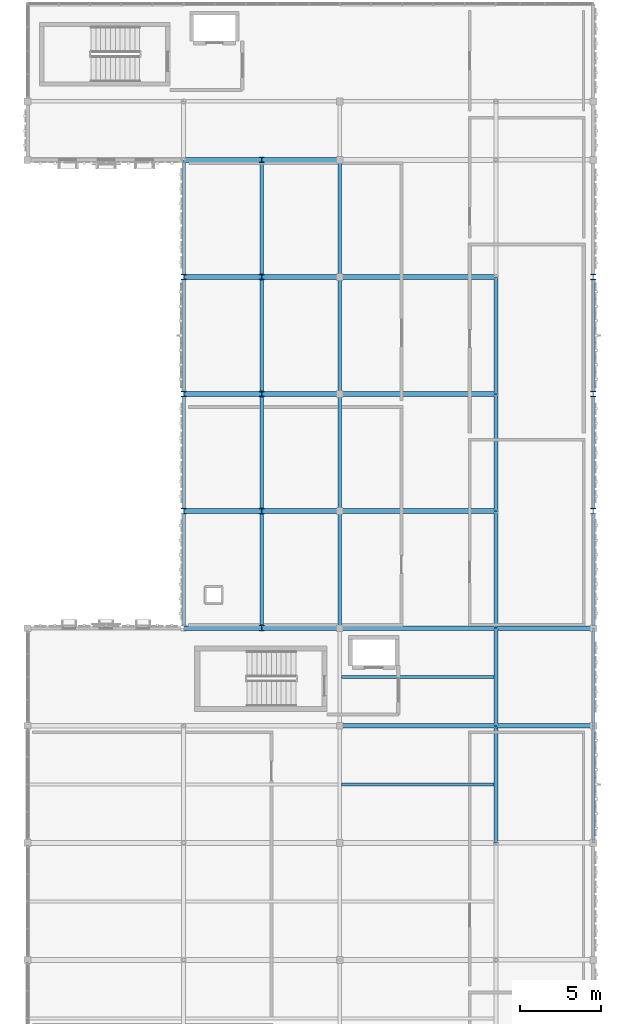
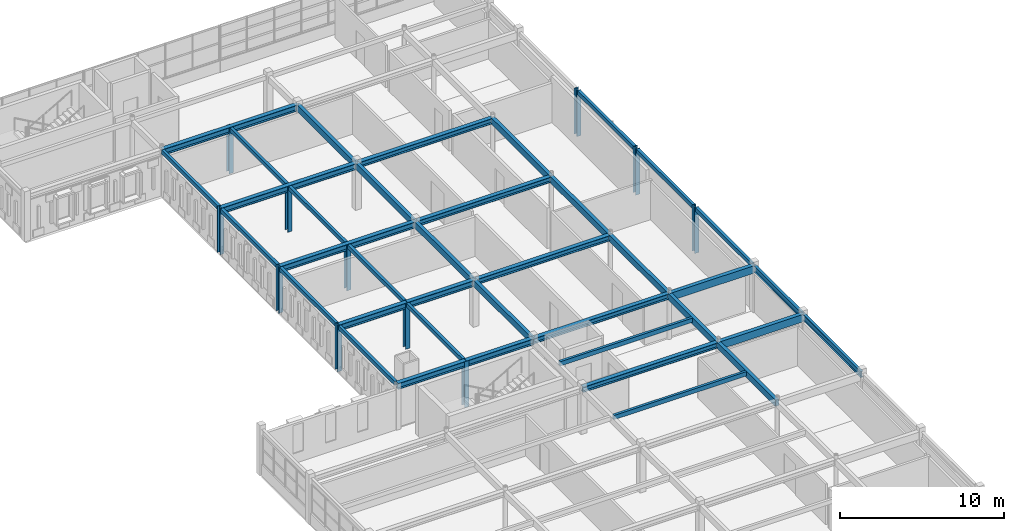
# One storey, part 16 of 46: 36 beams, 11 members.
"""IFC4 building model written with IfcOpenShell, lengths in metres."""

from ifc_helpers import new_model, si_unit, direction, frame, origin, origin_2d, place, context, subcontext, project, spatial, rectangle, hollow_rectangle, i_section, extrude, material, material_profile, profile_set, type_object, element, save


model = new_model("IFC4")

# Units and contexts
model_context = context("Model", 3, precision=1e-05, world=origin(), true_north=direction((0.0, 1.0)))
body_context = subcontext(model_context, "Body", "Model", "MODEL_VIEW")
ifc_project = project(units=[si_unit("LENGTHUNIT", "METRE"), si_unit("AREAUNIT", "SQUARE_METRE"), si_unit("VOLUMEUNIT", "CUBIC_METRE"), si_unit("PLANEANGLEUNIT", "RADIAN"), si_unit("MASSUNIT", "GRAM", prefix="KILO")], contexts=[model_context])

# Site, building, storey
site_placement = place(None, origin())
site = spatial("IfcSite", under=ifc_project, at=site_placement, CompositionType="ELEMENT")
building_placement = place(site_placement, origin())
building = spatial("IfcBuilding", under=site, at=building_placement, Name="Nzembalo Square Collegiate School", CompositionType="ELEMENT")
storey_placement = place(building_placement, frame((0.0, 0.0, 17.340087890625)))
storey = spatial("IfcBuildingStorey", under=building, at=storey_placement, Name="L04", CompositionType="ELEMENT", Elevation=17.340087890625)

# Beams
ifc_material_1 = material(Name="Glulam GL28h", Category="wood")
ifc_material_profile_1 = material_profile(ifc_material_1, rectangle(XDim=0.280029296875, YDim=0.56005859375, at=origin_2d()), Name="GL28h 280x560")
ifc_profile_set_1 = profile_set([ifc_material_profile_1], Name="Glulam GL28h")
beam_type_1 = type_object("IfcBeamType", Name="B05", PredefinedType="BEAM", material=ifc_profile_set_1)
for number, where, z_axis, x_axis, name in (
    (1, (159.60009765625, 44.39990234375, 3.155029296875), (1.0, 0.0, 0.0), (0.0, 1.0, 0.0), "Beam B05 L04"),
    (2, (159.60009765625, 50.39990234375, 3.155029296875), (1.0, 0.0, 0.0), (0.0, 1.0, 0.0), "Beam B05 L04"),
):
    element("IfcBeam", number, at=place(storey_placement, frame(where, z_axis=z_axis, x_axis=x_axis)), inside=storey, type_object=beam_type_1, Name=name, PredefinedType="BEAM", context=body_context, shape_type="SweptSolid", body=[
        extrude(rectangle(XDim=0.280029296875, YDim=0.56005859375, at=origin_2d()), origin(), (0.0, 0.0, 1.0), 6.0),
    ])
ifc_material_2 = material(Name="Glulam GL28h", Category="wood")
ifc_material_profile_2 = material_profile(ifc_material_2, rectangle(XDim=0.239990234375, YDim=0.47998046875, at=origin_2d()), Name="GL28h 240x480")
ifc_profile_set_2 = profile_set([ifc_material_profile_2], Name="Glulam GL28h")
beam_type_2 = type_object("IfcBeamType", Name="B06", PredefinedType="BEAM", material=ifc_profile_set_2)
beam_1_placement = place(storey_placement, frame((150.0, 50.39990234375, 3.19482421875), z_axis=(0.0, 1.0, 0.0), x_axis=(-1.0, 0.0, 0.0)))
element("IfcBeam", 3, at=beam_1_placement, inside=storey, type_object=beam_type_2, Name="Beam B06 L04", PredefinedType="BEAM", context=body_context, shape_type="SweptSolid", body=[
    extrude(rectangle(XDim=0.239990234375, YDim=0.47998046875, at=origin_2d()), origin(), (0.0, 0.0, 1.0), 7.2001953125),
])
for number, where, z_axis, x_axis, name in (
    (4, (150.0, 57.60009765625, 3.19482421875), (0.0, 1.0, 0.0), (-1.0, 0.0, 0.0), "Beam B06 L04"),
    (5, (150.0, 64.800048828125, 3.19482421875), (0.0, 1.0, 0.0), (-1.0, 0.0, 0.0), "Beam B06 L04"),
    (6, (150.0, 72.0, 3.19482421875), (0.0, 1.0, 0.0), (-1.0, 0.0, 0.0), "Beam B06 L04"),
    (7, (159.60009765625, 37.199951171875, 3.19482421875), (0.0, 1.0, 0.0), (-1.0, 0.0, 0.0), "Beam B06 L04"),
):
    element("IfcBeam", number, at=place(storey_placement, frame(where, z_axis=z_axis, x_axis=x_axis)), inside=storey, type_object=beam_type_2, Name=name, PredefinedType="BEAM", context=body_context, shape_type="SweptSolid", body=[
        extrude(rectangle(XDim=0.239990234375, YDim=0.47998046875, at=origin_2d()), origin(), (0.0, 0.0, 1.0), 7.199951171875),
    ])
beam_2_placement = place(storey_placement, frame((159.60009765625, 44.39990234375, 3.19482421875), z_axis=(0.0, 1.0, 0.0), x_axis=(-1.0, 0.0, 0.0)))
element("IfcBeam", 8, at=beam_2_placement, inside=storey, type_object=beam_type_2, Name="Beam B06 L04", PredefinedType="BEAM", context=body_context, shape_type="SweptSolid", body=[
    extrude(rectangle(XDim=0.239990234375, YDim=0.47998046875, at=origin_2d()), origin(), (0.0, 0.0, 1.0), 6.0),
])
beam_3_placement = place(storey_placement, frame((159.60009765625, 50.39990234375, 3.19482421875), z_axis=(0.0, 1.0, 0.0), x_axis=(-1.0, 0.0, 0.0)))
element("IfcBeam", 9, at=beam_3_placement, inside=storey, type_object=beam_type_2, Name="Beam B06 L04", PredefinedType="BEAM", context=body_context, shape_type="SweptSolid", body=[
    extrude(rectangle(XDim=0.239990234375, YDim=0.47998046875, at=origin_2d()), origin(), (0.0, 0.0, 1.0), 7.2001953125),
])
for number, where, z_axis, x_axis, name in (
    (10, (159.60009765625, 57.60009765625, 3.19482421875), (0.0, 1.0, 0.0), (-1.0, 0.0, 0.0), "Beam B06 L04"),
    (11, (159.60009765625, 64.800048828125, 3.19482421875), (0.0, 1.0, 0.0), (-1.0, 0.0, 0.0), "Beam B06 L04"),
):
    element("IfcBeam", number, at=place(storey_placement, frame(where, z_axis=z_axis, x_axis=x_axis)), inside=storey, type_object=beam_type_2, Name=name, PredefinedType="BEAM", context=body_context, shape_type="SweptSolid", body=[
        extrude(rectangle(XDim=0.239990234375, YDim=0.47998046875, at=origin_2d()), origin(), (0.0, 0.0, 1.0), 7.199951171875),
    ])
ifc_material_3 = material(Name="Steel S355", Category="steel")
ifc_material_profile_3 = material_profile(ifc_material_3, i_section(OverallWidth=0.300048828125, OverallDepth=0.449951171875, WebThickness=0.013916015625, FlangeThickness=0.02587890625, at=origin_2d()), Name="HEB 450")
ifc_profile_set_3 = profile_set([ifc_material_profile_3], Name="Steel S355")
beam_type_3 = type_object("IfcBeamType", Name="B08", PredefinedType="BEAM", material=ifc_profile_set_3)
for number, where, z_axis, x_axis, name in (
    (12, (150.0, 50.39990234375, 3.2099609375), (-1.0, 0.0, 0.0), (0.0, -1.0, 0.0), "Cantilever girder B08 4B L04"),
    (13, (150.0, 57.60009765625, 3.2099609375), (-1.0, 0.0, 0.0), (0.0, -1.0, 0.0), "Cantilever girder B08 4B L04"),
    (14, (150.0, 64.800048828125, 3.2099609375), (-1.0, 0.0, 0.0), (0.0, -1.0, 0.0), "Cantilever girder B08 4B L04"),
    (15, (150.0, 72.0, 3.2099609375), (-1.0, 0.0, 0.0), (0.0, -1.0, 0.0), "Cantilever girder B08 4B L04"),
    (16, (150.0, 79.199951171875, 3.2099609375), (-1.0, 0.0, 0.0), (0.0, -1.0, 0.0), "Cantilever girder B08 4B L04"),
):
    element("IfcBeam", number, at=place(storey_placement, frame(where, z_axis=z_axis, x_axis=x_axis)), inside=storey, type_object=beam_type_3, Name=name, PredefinedType="BEAM", context=body_context, shape_type="SweptSolid", body=[
        extrude(i_section(OverallWidth=0.300048828125, OverallDepth=0.449951171875, WebThickness=0.013916015625, FlangeThickness=0.02587890625, at=origin_2d()), origin(), (0.0, 0.0, 1.0), 9.60009765625),
    ])
ifc_material_4 = material(Name="Steel S355", Category="steel")
ifc_material_profile_4 = material_profile(ifc_material_4, i_section(OverallWidth=0.18994140625, OverallDepth=0.449951171875, WebThickness=0.009521484375, FlangeThickness=0.0146484375, at=origin_2d()), Name="IPE 450")
ifc_profile_set_4 = profile_set([ifc_material_profile_4], Name="Steel S355")
beam_type_4 = type_object("IfcBeamType", Name="B09", PredefinedType="BEAM", material=ifc_profile_set_4)
beam_4_placement = place(storey_placement, frame((165.60009765625, 37.199951171875, 3.2099609375), z_axis=(0.0, 1.0, 0.0), x_axis=(-1.0, 0.0, 0.0)))
element("IfcBeam", 17, at=beam_4_placement, inside=storey, type_object=beam_type_4, Name="Beam B09 L04", PredefinedType="BEAM", context=body_context, shape_type="SweptSolid", body=[
    extrude(i_section(OverallWidth=0.18994140625, OverallDepth=0.449951171875, WebThickness=0.009521484375, FlangeThickness=0.0146484375, at=origin_2d()), origin(), (0.0, 0.0, 1.0), 7.199951171875),
])
beam_5_placement = place(storey_placement, frame((165.60009765625, 44.39990234375, 3.2099609375), z_axis=(0.0, 1.0, 0.0), x_axis=(-1.0, 0.0, 0.0)))
element("IfcBeam", 18, at=beam_5_placement, inside=storey, type_object=beam_type_4, Name="Beam B09 L04", PredefinedType="BEAM", context=body_context, shape_type="SweptSolid", body=[
    extrude(i_section(OverallWidth=0.18994140625, OverallDepth=0.449951171875, WebThickness=0.009521484375, FlangeThickness=0.0146484375, at=origin_2d()), origin(), (0.0, 0.0, 1.0), 6.0),
])
ifc_material_5 = material(Name="Steel S355", Category="steel")
ifc_material_profile_5 = material_profile(ifc_material_5, i_section(OverallWidth=0.300048828125, OverallDepth=0.39990234375, WebThickness=0.013427734375, FlangeThickness=0.02392578125, at=origin_2d()), Name="HEB 400")
ifc_profile_set_5 = profile_set([ifc_material_profile_5], Name="Steel S355")
beam_type_5 = type_object("IfcBeamType", Name="B10", PredefinedType="BEAM", material=ifc_profile_set_5)
for number, where, z_axis, x_axis, name in (
    (19, (150.0, 44.39990234375, 3.23486328125), (1.0, 0.0, 0.0), (0.0, 1.0, 0.0), "Beam B10 L04"),
    (20, (150.0, 50.39990234375, 3.23486328125), (1.0, 0.0, 0.0), (0.0, 1.0, 0.0), "Beam B10 L04"),
    (21, (150.0, 57.60009765625, 3.23486328125), (1.0, 0.0, 0.0), (0.0, 1.0, 0.0), "Beam B10 L04"),
    (22, (150.0, 64.800048828125, 3.23486328125), (1.0, 0.0, 0.0), (0.0, 1.0, 0.0), "Beam B10 L04"),
    (23, (150.0, 72.0, 3.23486328125), (1.0, 0.0, 0.0), (0.0, 1.0, 0.0), "Beam B10 L04"),
):
    element("IfcBeam", number, at=place(storey_placement, frame(where, z_axis=z_axis, x_axis=x_axis)), inside=storey, type_object=beam_type_5, Name=name, PredefinedType="BEAM", context=body_context, shape_type="SweptSolid", body=[
        extrude(i_section(OverallWidth=0.300048828125, OverallDepth=0.39990234375, WebThickness=0.013427734375, FlangeThickness=0.02392578125, at=origin_2d()), origin(), (0.0, 0.0, 1.0), 9.60009765625),
    ])
ifc_material_6 = material(Name="Glulam GL28h", Category="wood")
ifc_material_profile_6 = material_profile(ifc_material_6, rectangle(XDim=0.179931640625, YDim=0.320068359375, at=origin_2d()), Name="GL28h 180x320")
ifc_profile_set_6 = profile_set([ifc_material_profile_6], Name="Glulam GL28h")
beam_type_6 = type_object("IfcBeamType", Name="J02", PredefinedType="JOIST", material=ifc_profile_set_6)
for number, where, z_axis, x_axis, name in (
    (24, (150.1201171875, 40.800048828125, 3.27490234375), (1.0, 0.0, 0.0), (0.0, 1.0, 0.0), "Secondary joist J02 L04"),
    (25, (150.1201171875, 47.39990234375, 3.27490234375), (1.0, 0.0, 0.0), (0.0, 1.0, 0.0), "Secondary joist J02 L04"),
):
    element("IfcBeam", number, at=place(storey_placement, frame(where, z_axis=z_axis, x_axis=x_axis)), inside=storey, type_object=beam_type_6, Name=name, PredefinedType="JOIST", context=body_context, shape_type="SweptSolid", body=[
        extrude(rectangle(XDim=0.179931640625, YDim=0.320068359375, at=origin_2d()), origin(), (0.0, 0.0, 1.0), 9.35986328125),
    ])
ifc_material_7 = material(Name="Steel S355", Category="steel")
ifc_material_profile_7 = material_profile(ifc_material_7, hollow_rectangle(XDim=0.199951171875, YDim=0.300048828125, WallThickness=0.011962890625, at=origin_2d()), Name="RHS 300x200x12")
ifc_profile_set_7 = profile_set([ifc_material_profile_7], Name="Steel S355")
beam_type_7 = type_object("IfcBeamType", Name="SP03", PredefinedType="SPANDREL", material=ifc_profile_set_7)
for number, where, z_axis, x_axis, name in (
    (26, (165.60009765625, 50.550048828125, 3.284912109375), (0.0, 1.0, 0.0), (-1.0, 0.0, 0.0), "Cantilever edge beam SP03 4B L04"),
    (27, (140.39990234375, 50.550048828125, 3.284912109375), (0.0, 1.0, 0.0), (-1.0, 0.0, 0.0), "Cantilever edge beam SP03 4B L04"),
    (28, (145.199951171875, 50.550048828125, 3.284912109375), (0.0, 1.0, 0.0), (-1.0, 0.0, 0.0), "Cantilever edge beam SP03 4B L04"),
    (29, (165.60009765625, 57.75, 3.284912109375), (0.0, 1.0, 0.0), (-1.0, 0.0, 0.0), "Cantilever edge beam SP03 4B L04"),
    (30, (140.39990234375, 57.75, 3.284912109375), (0.0, 1.0, 0.0), (-1.0, 0.0, 0.0), "Cantilever edge beam SP03 4B L04"),
    (31, (145.199951171875, 57.75, 3.284912109375), (0.0, 1.0, 0.0), (-1.0, 0.0, 0.0), "Cantilever edge beam SP03 4B L04"),
):
    element("IfcBeam", number, at=place(storey_placement, frame(where, z_axis=z_axis, x_axis=x_axis)), inside=storey, type_object=beam_type_7, Name=name, PredefinedType="SPANDREL", context=body_context, shape_type="SweptSolid", body=[
        extrude(hollow_rectangle(XDim=0.199951171875, YDim=0.300048828125, WallThickness=0.011962890625, at=origin_2d()), origin(), (0.0, 0.0, 1.0), 6.89990234375),
    ])
for number, where, z_axis, x_axis, name in (
    (32, (165.60009765625, 64.949951171875, 3.284912109375), (0.0, 1.0, 0.0), (-1.0, 0.0, 0.0), "Cantilever edge beam SP03 4B L04"),
    (33, (140.39990234375, 64.949951171875, 3.284912109375), (0.0, 1.0, 0.0), (-1.0, 0.0, 0.0), "Cantilever edge beam SP03 4B L04"),
    (34, (145.199951171875, 64.949951171875, 3.284912109375), (0.0, 1.0, 0.0), (-1.0, 0.0, 0.0), "Cantilever edge beam SP03 4B L04"),
    (35, (140.39990234375, 72.14990234375, 3.284912109375), (0.0, 1.0, 0.0), (-1.0, 0.0, 0.0), "Cantilever edge beam SP03 4B L04"),
    (36, (145.199951171875, 72.14990234375, 3.284912109375), (0.0, 1.0, 0.0), (-1.0, 0.0, 0.0), "Cantilever edge beam SP03 4B L04"),
):
    element("IfcBeam", number, at=place(storey_placement, frame(where, z_axis=z_axis, x_axis=x_axis)), inside=storey, type_object=beam_type_7, Name=name, PredefinedType="SPANDREL", context=body_context, shape_type="SweptSolid", body=[
        extrude(hollow_rectangle(XDim=0.199951171875, YDim=0.300048828125, WallThickness=0.011962890625, at=origin_2d()), origin(), (0.0, 0.0, 1.0), 6.900146484375),
    ])

# Members
ifc_material_8 = material(Name="Steel S355", Category="steel")
ifc_material_profile_8 = material_profile(ifc_material_8, i_section(OverallWidth=0.300048828125, OverallDepth=0.340087890625, WebThickness=0.011962890625, FlangeThickness=0.021484375, at=origin_2d()), Name="HEB 340")
ifc_profile_set_8 = profile_set([ifc_material_profile_8], Name="Steel S355")
member_type = type_object("IfcMemberType", Name="TP03", PredefinedType="POST", material=ifc_profile_set_8)
for number, where, z_axis, x_axis, name in (
    (37, (145.199951171875, 50.39990234375, 0.0), (0.0, 0.0, 1.0), (1.0, 0.0, 0.0), "TT-4B-01 upper pavilion post L04-3"),
    (38, (165.60009765625, 57.60009765625, 0.0), (0.0, 0.0, 1.0), (1.0, 0.0, 0.0), "TT-4B-02 upper pavilion post L04-0"),
    (39, (145.199951171875, 57.60009765625, 0.0), (0.0, 0.0, 1.0), (1.0, 0.0, 0.0), "TT-4B-02 upper pavilion post L04-3"),
    (40, (140.39990234375, 57.60009765625, 0.0), (0.0, 0.0, 1.0), (1.0, 0.0, 0.0), "TT-4B-02 upper pavilion post L04-4"),
    (41, (165.60009765625, 64.800048828125, 0.0), (0.0, 0.0, 1.0), (1.0, 0.0, 0.0), "TT-4B-03 upper pavilion post L04-0"),
    (42, (145.199951171875, 64.800048828125, 0.0), (0.0, 0.0, 1.0), (1.0, 0.0, 0.0), "TT-4B-03 upper pavilion post L04-3"),
    (43, (140.39990234375, 64.800048828125, 0.0), (0.0, 0.0, 1.0), (1.0, 0.0, 0.0), "TT-4B-03 upper pavilion post L04-4"),
    (44, (165.60009765625, 72.0, 0.0), (0.0, 0.0, 1.0), (1.0, 0.0, 0.0), "TT-4B-04 upper pavilion post L04-0"),
    (45, (145.199951171875, 72.0, 0.0), (0.0, 0.0, 1.0), (1.0, 0.0, 0.0), "TT-4B-04 upper pavilion post L04-3"),
    (46, (140.39990234375, 72.0, 0.0), (0.0, 0.0, 1.0), (1.0, 0.0, 0.0), "TT-4B-04 upper pavilion post L04-4"),
    (47, (145.199951171875, 79.199951171875, 0.0), (0.0, 0.0, 1.0), (1.0, 0.0, 0.0), "TT-4B-05 upper pavilion post L04-3"),
):
    element("IfcMember", number, at=place(storey_placement, frame(where, z_axis=z_axis, x_axis=x_axis)), inside=storey, type_object=member_type, Name=name, PredefinedType="POST", context=body_context, shape_type="SweptSolid", body=[
        extrude(i_section(OverallWidth=0.300048828125, OverallDepth=0.340087890625, WebThickness=0.011962890625, FlangeThickness=0.021484375, at=origin_2d()), origin(), (0.0, 0.0, 1.0), 3.434814453125),
    ])

save(model, "model.ifc")
